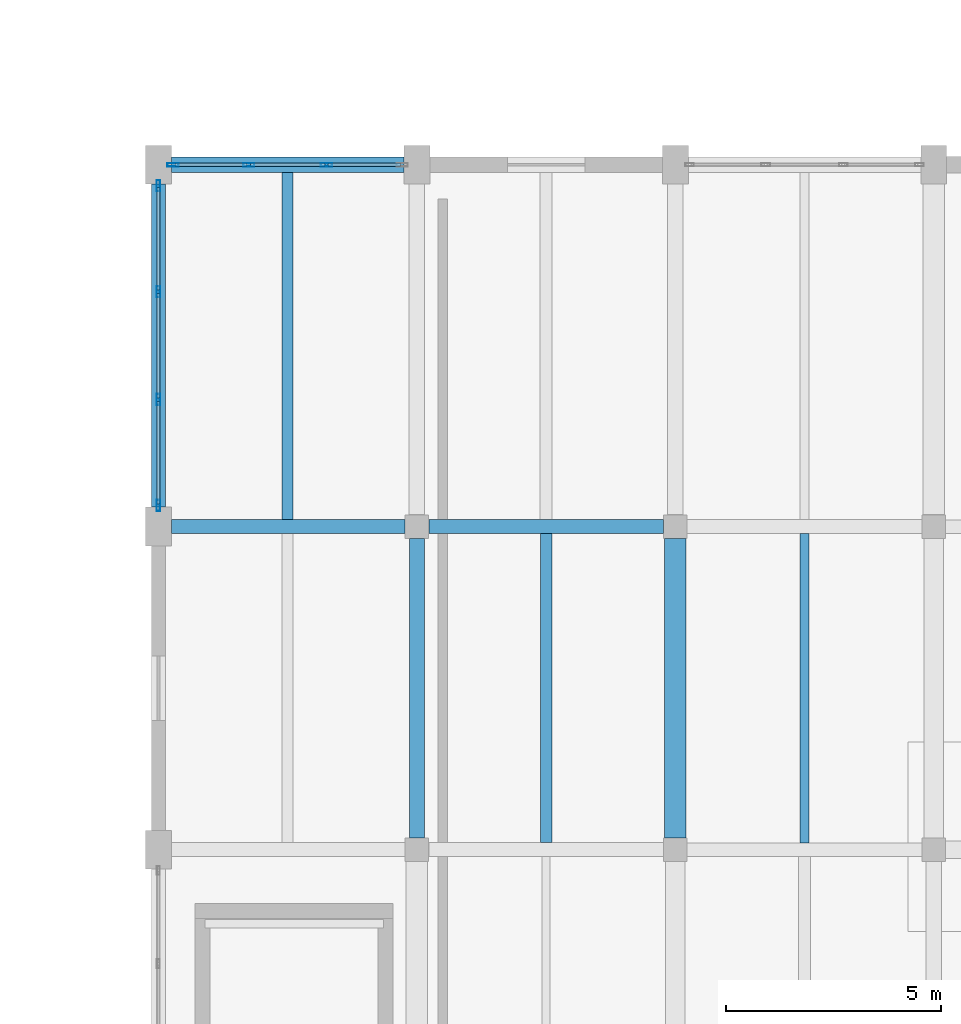
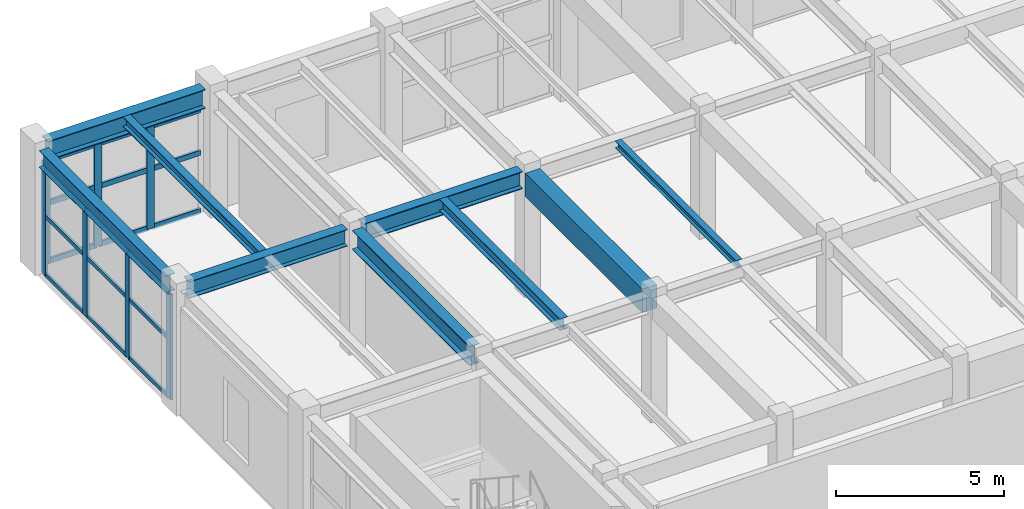
# One storey, part 36 of 96: 25 members, 9 beams, 2 elements without a shape of their own.
"""IFC4 building model written with IfcOpenShell, lengths in metres."""

from ifc_helpers import new_model, si_unit, direction, frame, origin, origin_2d, place, context, subcontext, project, spatial, rectangle, hollow_rectangle, i_section, extrude, material, layer, layer_set, material_profile, profile_set, type_object, element, aggregate, save


model = new_model("IFC4")

# Units and contexts
model_context = context("Model", 3, precision=1e-05, world=origin(), true_north=direction((0.0, 1.0)))
body_context = subcontext(model_context, "Body", "Model", "MODEL_VIEW")
ifc_project = project(units=[si_unit("LENGTHUNIT", "METRE"), si_unit("AREAUNIT", "SQUARE_METRE"), si_unit("VOLUMEUNIT", "CUBIC_METRE"), si_unit("PLANEANGLEUNIT", "RADIAN"), si_unit("MASSUNIT", "GRAM", prefix="KILO")], contexts=[model_context])

# Site, building, storey
site_placement = place(None, origin())
site = spatial("IfcSite", under=ifc_project, at=site_placement, CompositionType="ELEMENT")
building_placement = place(site_placement, origin())
building = spatial("IfcBuilding", under=site, at=building_placement, Name="Vaelkrest Opera House", CompositionType="ELEMENT")
storey_placement = place(building_placement, frame((0.0, 0.0, 5.39990234375)))
storey = spatial("IfcBuildingStorey", under=building, at=storey_placement, Name="L01", CompositionType="ELEMENT", Elevation=5.39990234375)

# Beams
ifc_material_1 = material(Name="Concrete C50/60", Category="concrete")
ifc_material_profile_1 = material_profile(ifc_material_1, rectangle(XDim=0.5, YDim=0.85009765625, at=origin_2d()), Name="RCB500X850")
ifc_profile_set_1 = profile_set([ifc_material_profile_1], Name="Concrete C50/60")
beam_type_1 = type_object("IfcBeamType", Name="B03", PredefinedType="BEAM", material=ifc_profile_set_1)
beam_1_placement = place(storey_placement, frame((-63.60009765625, 17.97509765625, 4.0751953125), z_axis=(0.0, 1.0, 0.0), x_axis=(-1.0, 0.0, 0.0)))
element("IfcBeam", 1, at=beam_1_placement, inside=storey, type_object=beam_type_1, Name="Beam BM-V3-L01-1564", PredefinedType="BEAM", context=body_context, shape_type="SweptSolid", body=[
    extrude(rectangle(XDim=0.5, YDim=0.85009765625, at=origin_2d()), origin(), (0.0, 0.0, 1.0), 6.949951171875),
])
ifc_material_2 = material(Name="Steel A992 Gr50", Category="steel")
ifc_material_profile_2 = material_profile(ifc_material_2, i_section(OverallWidth=0.323974609375, OverallDepth=0.611083984375, WebThickness=0.0126953125, FlangeThickness=0.01904296875, at=origin_2d()), Name="W24X104")
ifc_profile_set_2 = profile_set([ifc_material_profile_2], Name="Steel A992 Gr50")
beam_type_2 = type_object("IfcBeamType", Name="B08", PredefinedType="BEAM", material=ifc_profile_set_2)
beam_2_placement = place(storey_placement, frame((-75.300048828125, 25.199951171875, 4.194580078125), z_axis=(1.0, 0.0, 0.0), x_axis=(0.0, 1.0, 0.0)))
element("IfcBeam", 2, at=beam_2_placement, inside=storey, type_object=beam_type_2, Name="Beam BM-V3-L01-1537", PredefinedType="BEAM", context=body_context, shape_type="SweptSolid", body=[
    extrude(i_section(OverallWidth=0.323974609375, OverallDepth=0.611083984375, WebThickness=0.0126953125, FlangeThickness=0.01904296875, at=origin_2d()), origin(), (0.0, 0.0, 1.0), 5.425048828125),
])
ifc_material_profile_3 = material_profile(ifc_material_2, i_section(OverallWidth=0.327880859375, OverallDepth=0.6279296875, WebThickness=0.0166015625, FlangeThickness=0.027587890625, at=origin_2d()), Name="W24X146")
ifc_profile_set_3 = profile_set([ifc_material_profile_3], Name="Steel A992 Gr50")
beam_type_3 = type_object("IfcBeamType", Name="B09", PredefinedType="BEAM", material=ifc_profile_set_3)
beam_3_placement = place(storey_placement, frame((-69.324951171875, 25.199951171875, 4.18603515625), z_axis=(1.0, 0.0, 0.0), x_axis=(0.0, 1.0, 0.0)))
element("IfcBeam", 3, at=beam_3_placement, inside=storey, type_object=beam_type_3, Name="Beam BM-V3-L01-1538", PredefinedType="BEAM", context=body_context, shape_type="SweptSolid", body=[
    extrude(i_section(OverallWidth=0.327880859375, OverallDepth=0.6279296875, WebThickness=0.0166015625, FlangeThickness=0.027587890625, at=origin_2d()), origin(), (0.0, 0.0, 1.0), 5.449951171875),
])
ifc_material_profile_4 = material_profile(ifc_material_2, i_section(OverallWidth=0.35498046875, OverallDepth=0.695068359375, WebThickness=0.015380859375, FlangeThickness=0.02490234375, at=origin_2d()), Name="W27X146")
ifc_profile_set_4 = profile_set([ifc_material_profile_4], Name="Steel A992 Gr50")
beam_type_4 = type_object("IfcBeamType", Name="B10", PredefinedType="BEAM", material=ifc_profile_set_4)
beam_4_placement = place(storey_placement, frame((-69.60009765625, 17.97509765625, 4.152587890625), z_axis=(0.0, 1.0, 0.0), x_axis=(-1.0, 0.0, 0.0)))
element("IfcBeam", 4, at=beam_4_placement, inside=storey, type_object=beam_type_4, Name="Beam BM-V3-L01-1561", PredefinedType="BEAM", context=body_context, shape_type="SweptSolid", body=[
    extrude(i_section(OverallWidth=0.35498046875, OverallDepth=0.695068359375, WebThickness=0.015380859375, FlangeThickness=0.02490234375, at=origin_2d()), origin(), (0.0, 0.0, 1.0), 6.949951171875),
])

# Curtain wall, members
ifc_material_3 = material(Name="Dark bronze anodized aluminium", Category="aluminium")
ifc_layer_1 = layer(ifc_material_3, 0.25)
ifc_layer_set_1 = layer_set([ifc_layer_1], Name="Dark bronze anodized aluminium")
curtain_wall_type_1 = type_object("IfcCurtainWallType", Name="CW08", PredefinedType="NOTDEFINED", material=ifc_layer_set_1)
curtain_wall_1_placement = place(storey_placement, origin())
curtain_wall_1 = element("IfcCurtainWall", 5, at=curtain_wall_1_placement, inside=storey, type_object=curtain_wall_type_1, Name="Curtain wall CW-L01-105", PredefinedType="NOTDEFINED")
ifc_material_profile_5 = material_profile(ifc_material_3, hollow_rectangle(XDim=0.080078125, YDim=0.260009765625, WallThickness=0.0048828125, at=origin_2d()), Name="CWM80X260")
ifc_profile_set_5 = profile_set([ifc_material_profile_5], Name="Dark bronze anodized aluminium")
member_type_1 = type_object("IfcMemberType", Name="CWM04", PredefinedType="MULLION", material=ifc_profile_set_5)
member_1_placement = place(storey_placement, frame((-75.60009765625, 25.68798828125, 0.0), z_axis=(0.0, 0.0, 1.0), x_axis=(-1.0, 0.0, 0.0)))
member_1 = element("IfcMember", 6, at=member_1_placement, type_object=member_type_1, Name="CW08 mullion 1", PredefinedType="MULLION", context=body_context, shape_type="SweptSolid", body=[
    extrude(hollow_rectangle(XDim=0.080078125, YDim=0.260009765625, WallThickness=0.0048828125, at=origin_2d()), origin(), (0.0, 0.0, 1.0), 3.82421875),
])
member_2_placement = place(storey_placement, frame((-75.60009765625, 28.1494140625, 0.0), z_axis=(0.0, 0.0, 1.0), x_axis=(-1.0, 0.0, 0.0)))
member_2 = element("IfcMember", 7, at=member_2_placement, type_object=member_type_1, Name="CW08 mullion 2", PredefinedType="MULLION", context=body_context, shape_type="SweptSolid", body=[
    extrude(hollow_rectangle(XDim=0.080078125, YDim=0.260009765625, WallThickness=0.0048828125, at=origin_2d()), origin(), (0.0, 0.0, 1.0), 3.82421875),
])
member_3_placement = place(storey_placement, frame((-75.60009765625, 30.650634765625, 0.0), z_axis=(0.0, 0.0, 1.0), x_axis=(-1.0, 0.0, 0.0)))
member_3 = element("IfcMember", 8, at=member_3_placement, type_object=member_type_1, Name="CW08 mullion 3", PredefinedType="MULLION", context=body_context, shape_type="SweptSolid", body=[
    extrude(hollow_rectangle(XDim=0.080078125, YDim=0.260009765625, WallThickness=0.0048828125, at=origin_2d()), origin(), (0.0, 0.0, 1.0), 3.82421875),
])
member_4_placement = place(storey_placement, frame((-75.60009765625, 33.112060546875, 0.0), z_axis=(0.0, 0.0, 1.0), x_axis=(-1.0, 0.0, 0.0)))
member_4 = element("IfcMember", 9, at=member_4_placement, type_object=member_type_1, Name="CW08 mullion 4", PredefinedType="MULLION", context=body_context, shape_type="SweptSolid", body=[
    extrude(hollow_rectangle(XDim=0.080078125, YDim=0.260009765625, WallThickness=0.0048828125, at=origin_2d()), origin(), (0.0, 0.0, 1.0), 3.82421875),
])

ifc_layer_2 = layer(ifc_material_3, 0.2099609375)
ifc_layer_set_2 = layer_set([ifc_layer_2], Name="Dark bronze anodized aluminium")
curtain_wall_type_2 = type_object("IfcCurtainWallType", Name="CW04", PredefinedType="NOTDEFINED", material=ifc_layer_set_2)
curtain_wall_2_placement = place(storey_placement, origin())
curtain_wall_2 = element("IfcCurtainWall", 10, at=curtain_wall_2_placement, inside=storey, type_object=curtain_wall_type_2, Name="Curtain wall CW-L01-106", PredefinedType="NOTDEFINED")
member_5_placement = place(storey_placement, frame((-75.261962890625, 33.60009765625, 0.0), z_axis=(0.0, 0.0, 1.0), x_axis=(0.0, 1.0, 0.0)))
member_5 = element("IfcMember", 11, at=member_5_placement, type_object=member_type_1, Name="CW04 mullion 1", PredefinedType="MULLION", context=body_context, shape_type="SweptSolid", body=[
    extrude(hollow_rectangle(XDim=0.080078125, YDim=0.260009765625, WallThickness=0.0048828125, at=origin_2d()), origin(), (0.0, 0.0, 1.0), 3.739990234375),
])
member_6_placement = place(storey_placement, frame((-73.500732421875, 33.60009765625, 0.0), z_axis=(0.0, 0.0, 1.0), x_axis=(0.0, 1.0, 0.0)))
member_6 = element("IfcMember", 12, at=member_6_placement, type_object=member_type_1, Name="CW04 mullion 2", PredefinedType="MULLION", context=body_context, shape_type="SweptSolid", body=[
    extrude(hollow_rectangle(XDim=0.080078125, YDim=0.260009765625, WallThickness=0.0048828125, at=origin_2d()), origin(), (0.0, 0.0, 1.0), 3.739990234375),
])
member_7_placement = place(storey_placement, frame((-71.69921875, 33.60009765625, 0.0), z_axis=(0.0, 0.0, 1.0), x_axis=(0.0, 1.0, 0.0)))
member_7 = element("IfcMember", 13, at=member_7_placement, type_object=member_type_1, Name="CW04 mullion 3", PredefinedType="MULLION", context=body_context, shape_type="SweptSolid", body=[
    extrude(hollow_rectangle(XDim=0.080078125, YDim=0.260009765625, WallThickness=0.0048828125, at=origin_2d()), origin(), (0.0, 0.0, 1.0), 3.739990234375),
])

# Member
ifc_material_profile_6 = material_profile(ifc_material_3, hollow_rectangle(XDim=0.070068359375, YDim=0.14990234375, WallThickness=0.004150390625, at=origin_2d()), Name="CWT70X150")
ifc_profile_set_6 = profile_set([ifc_material_profile_6], Name="Dark bronze anodized aluminium")
member_type_2 = type_object("IfcMemberType", Name="CWT02", PredefinedType="USERDEFINED", material=ifc_profile_set_6)
member_8_placement = place(storey_placement, frame((-75.60009765625, 25.72802734375, 0.03515625), z_axis=(0.0, 1.0, 0.0), x_axis=(-1.0, 0.0, 0.0)))
member_8 = element("IfcMember", 14, at=member_8_placement, type_object=member_type_2, Name="CW08 transom 1.1", ObjectType="TRANSOM", PredefinedType="USERDEFINED", context=body_context, shape_type="SweptSolid", body=[
    extrude(hollow_rectangle(XDim=0.070068359375, YDim=0.14990234375, WallThickness=0.004150390625, at=origin_2d()), origin(), (0.0, 0.0, 1.0), 2.38134765625),
])

member_9_placement = place(storey_placement, frame((-75.60009765625, 25.72802734375, 2.150146484375), z_axis=(0.0, 1.0, 0.0), x_axis=(-1.0, 0.0, 0.0)))
member_9 = element("IfcMember", 15, at=member_9_placement, type_object=member_type_2, Name="CW08 transom 1.2", ObjectType="TRANSOM", PredefinedType="USERDEFINED", context=body_context, shape_type="SweptSolid", body=[
    extrude(hollow_rectangle(XDim=0.070068359375, YDim=0.14990234375, WallThickness=0.004150390625, at=origin_2d()), origin(), (0.0, 0.0, 1.0), 2.38134765625),
])

member_10_placement = place(storey_placement, frame((-75.60009765625, 25.72802734375, 3.7890625), z_axis=(0.0, 1.0, 0.0), x_axis=(-1.0, 0.0, 0.0)))
member_10 = element("IfcMember", 16, at=member_10_placement, type_object=member_type_2, Name="CW08 transom 1.3", ObjectType="TRANSOM", PredefinedType="USERDEFINED", context=body_context, shape_type="SweptSolid", body=[
    extrude(hollow_rectangle(XDim=0.070068359375, YDim=0.14990234375, WallThickness=0.004150390625, at=origin_2d()), origin(), (0.0, 0.0, 1.0), 2.38134765625),
])

member_11_placement = place(storey_placement, frame((-75.60009765625, 28.189453125, 0.03515625), z_axis=(0.0, 1.0, 0.0), x_axis=(-1.0, 0.0, 0.0)))
member_11 = element("IfcMember", 17, at=member_11_placement, type_object=member_type_2, Name="CW08 transom 2.1", ObjectType="TRANSOM", PredefinedType="USERDEFINED", context=body_context, shape_type="SweptSolid", body=[
    extrude(hollow_rectangle(XDim=0.070068359375, YDim=0.14990234375, WallThickness=0.004150390625, at=origin_2d()), origin(), (0.0, 0.0, 1.0), 2.421142578125),
])

member_12_placement = place(storey_placement, frame((-75.60009765625, 28.189453125, 2.150146484375), z_axis=(0.0, 1.0, 0.0), x_axis=(-1.0, 0.0, 0.0)))
member_12 = element("IfcMember", 18, at=member_12_placement, type_object=member_type_2, Name="CW08 transom 2.2", ObjectType="TRANSOM", PredefinedType="USERDEFINED", context=body_context, shape_type="SweptSolid", body=[
    extrude(hollow_rectangle(XDim=0.070068359375, YDim=0.14990234375, WallThickness=0.004150390625, at=origin_2d()), origin(), (0.0, 0.0, 1.0), 2.421142578125),
])

member_13_placement = place(storey_placement, frame((-75.60009765625, 28.189453125, 3.7890625), z_axis=(0.0, 1.0, 0.0), x_axis=(-1.0, 0.0, 0.0)))
member_13 = element("IfcMember", 19, at=member_13_placement, type_object=member_type_2, Name="CW08 transom 2.3", ObjectType="TRANSOM", PredefinedType="USERDEFINED", context=body_context, shape_type="SweptSolid", body=[
    extrude(hollow_rectangle(XDim=0.070068359375, YDim=0.14990234375, WallThickness=0.004150390625, at=origin_2d()), origin(), (0.0, 0.0, 1.0), 2.421142578125),
])

member_14_placement = place(storey_placement, frame((-75.60009765625, 30.690673828125, 0.03515625), z_axis=(0.0, 1.0, 0.0), x_axis=(-1.0, 0.0, 0.0)))
member_14 = element("IfcMember", 20, at=member_14_placement, type_object=member_type_2, Name="CW08 transom 3.1", ObjectType="TRANSOM", PredefinedType="USERDEFINED", context=body_context, shape_type="SweptSolid", body=[
    extrude(hollow_rectangle(XDim=0.070068359375, YDim=0.14990234375, WallThickness=0.004150390625, at=origin_2d()), origin(), (0.0, 0.0, 1.0), 2.38134765625),
])

member_15_placement = place(storey_placement, frame((-75.60009765625, 30.690673828125, 2.150146484375), z_axis=(0.0, 1.0, 0.0), x_axis=(-1.0, 0.0, 0.0)))
member_15 = element("IfcMember", 21, at=member_15_placement, type_object=member_type_2, Name="CW08 transom 3.2", ObjectType="TRANSOM", PredefinedType="USERDEFINED", context=body_context, shape_type="SweptSolid", body=[
    extrude(hollow_rectangle(XDim=0.070068359375, YDim=0.14990234375, WallThickness=0.004150390625, at=origin_2d()), origin(), (0.0, 0.0, 1.0), 2.38134765625),
])

member_16_placement = place(storey_placement, frame((-75.60009765625, 30.690673828125, 3.7890625), z_axis=(0.0, 1.0, 0.0), x_axis=(-1.0, 0.0, 0.0)))
member_16 = element("IfcMember", 22, at=member_16_placement, type_object=member_type_2, Name="CW08 transom 3.3", ObjectType="TRANSOM", PredefinedType="USERDEFINED", context=body_context, shape_type="SweptSolid", body=[
    extrude(hollow_rectangle(XDim=0.070068359375, YDim=0.14990234375, WallThickness=0.004150390625, at=origin_2d()), origin(), (0.0, 0.0, 1.0), 2.38134765625),
])

aggregate(curtain_wall_1, [member_1, member_2, member_3, member_4, member_8, member_9, member_10, member_11, member_12, member_13, member_14, member_15, member_16])

ifc_material_profile_7 = material_profile(ifc_material_3, hollow_rectangle(XDim=0.080078125, YDim=0.18994140625, WallThickness=0.0048828125, at=origin_2d()), Name="CWT80X190")
ifc_profile_set_7 = profile_set([ifc_material_profile_7], Name="Dark bronze anodized aluminium")
member_type_3 = type_object("IfcMemberType", Name="CWT04", PredefinedType="USERDEFINED", material=ifc_profile_set_7)
member_17_placement = place(storey_placement, frame((-75.221923828125, 33.60009765625, 0.0400390625), z_axis=(1.0, 0.0, 0.0), x_axis=(0.0, 1.0, 0.0)))
member_17 = element("IfcMember", 23, at=member_17_placement, type_object=member_type_3, Name="CW04 transom 1.1", ObjectType="TRANSOM", PredefinedType="USERDEFINED", context=body_context, shape_type="SweptSolid", body=[
    extrude(hollow_rectangle(XDim=0.080078125, YDim=0.18994140625, WallThickness=0.0048828125, at=origin_2d()), origin(), (0.0, 0.0, 1.0), 1.68115234375),
])

member_18_placement = place(storey_placement, frame((-75.221923828125, 33.60009765625, 2.150146484375), z_axis=(1.0, 0.0, 0.0), x_axis=(0.0, 1.0, 0.0)))
member_18 = element("IfcMember", 24, at=member_18_placement, type_object=member_type_3, Name="CW04 transom 1.2", ObjectType="TRANSOM", PredefinedType="USERDEFINED", context=body_context, shape_type="SweptSolid", body=[
    extrude(hollow_rectangle(XDim=0.080078125, YDim=0.18994140625, WallThickness=0.0048828125, at=origin_2d()), origin(), (0.0, 0.0, 1.0), 1.68115234375),
])

member_19_placement = place(storey_placement, frame((-75.221923828125, 33.60009765625, 3.7001953125), z_axis=(1.0, 0.0, 0.0), x_axis=(0.0, 1.0, 0.0)))
member_19 = element("IfcMember", 25, at=member_19_placement, type_object=member_type_3, Name="CW04 transom 1.3", ObjectType="TRANSOM", PredefinedType="USERDEFINED", context=body_context, shape_type="SweptSolid", body=[
    extrude(hollow_rectangle(XDim=0.080078125, YDim=0.18994140625, WallThickness=0.0048828125, at=origin_2d()), origin(), (0.0, 0.0, 1.0), 1.68115234375),
])

member_20_placement = place(storey_placement, frame((-73.460693359375, 33.60009765625, 0.0400390625), z_axis=(1.0, 0.0, 0.0), x_axis=(0.0, 1.0, 0.0)))
member_20 = element("IfcMember", 26, at=member_20_placement, type_object=member_type_3, Name="CW04 transom 2.1", ObjectType="TRANSOM", PredefinedType="USERDEFINED", context=body_context, shape_type="SweptSolid", body=[
    extrude(hollow_rectangle(XDim=0.080078125, YDim=0.18994140625, WallThickness=0.0048828125, at=origin_2d()), origin(), (0.0, 0.0, 1.0), 1.721435546875),
])

member_21_placement = place(storey_placement, frame((-73.460693359375, 33.60009765625, 2.150146484375), z_axis=(1.0, 0.0, 0.0), x_axis=(0.0, 1.0, 0.0)))
member_21 = element("IfcMember", 27, at=member_21_placement, type_object=member_type_3, Name="CW04 transom 2.2", ObjectType="TRANSOM", PredefinedType="USERDEFINED", context=body_context, shape_type="SweptSolid", body=[
    extrude(hollow_rectangle(XDim=0.080078125, YDim=0.18994140625, WallThickness=0.0048828125, at=origin_2d()), origin(), (0.0, 0.0, 1.0), 1.721435546875),
])

member_22_placement = place(storey_placement, frame((-73.460693359375, 33.60009765625, 3.7001953125), z_axis=(1.0, 0.0, 0.0), x_axis=(0.0, 1.0, 0.0)))
member_22 = element("IfcMember", 28, at=member_22_placement, type_object=member_type_3, Name="CW04 transom 2.3", ObjectType="TRANSOM", PredefinedType="USERDEFINED", context=body_context, shape_type="SweptSolid", body=[
    extrude(hollow_rectangle(XDim=0.080078125, YDim=0.18994140625, WallThickness=0.0048828125, at=origin_2d()), origin(), (0.0, 0.0, 1.0), 1.721435546875),
])

member_23_placement = place(storey_placement, frame((-71.659423828125, 33.60009765625, 0.0400390625), z_axis=(1.0, 0.0, 0.0), x_axis=(0.0, 1.0, 0.0)))
member_23 = element("IfcMember", 29, at=member_23_placement, type_object=member_type_3, Name="CW04 transom 3.1", ObjectType="TRANSOM", PredefinedType="USERDEFINED", context=body_context, shape_type="SweptSolid", body=[
    extrude(hollow_rectangle(XDim=0.080078125, YDim=0.18994140625, WallThickness=0.0048828125, at=origin_2d()), origin(), (0.0, 0.0, 1.0), 1.681396484375),
])

member_24_placement = place(storey_placement, frame((-71.659423828125, 33.60009765625, 2.150146484375), z_axis=(1.0, 0.0, 0.0), x_axis=(0.0, 1.0, 0.0)))
member_24 = element("IfcMember", 30, at=member_24_placement, type_object=member_type_3, Name="CW04 transom 3.2", ObjectType="TRANSOM", PredefinedType="USERDEFINED", context=body_context, shape_type="SweptSolid", body=[
    extrude(hollow_rectangle(XDim=0.080078125, YDim=0.18994140625, WallThickness=0.0048828125, at=origin_2d()), origin(), (0.0, 0.0, 1.0), 1.681396484375),
])

member_25_placement = place(storey_placement, frame((-71.659423828125, 33.60009765625, 3.7001953125), z_axis=(1.0, 0.0, 0.0), x_axis=(0.0, 1.0, 0.0)))
member_25 = element("IfcMember", 31, at=member_25_placement, type_object=member_type_3, Name="CW04 transom 3.3", ObjectType="TRANSOM", PredefinedType="USERDEFINED", context=body_context, shape_type="SweptSolid", body=[
    extrude(hollow_rectangle(XDim=0.080078125, YDim=0.18994140625, WallThickness=0.0048828125, at=origin_2d()), origin(), (0.0, 0.0, 1.0), 1.681396484375),
])

aggregate(curtain_wall_2, [member_5, member_6, member_7, member_17, member_18, member_19, member_20, member_21, member_22, member_23, member_24, member_25])

# Beams
ifc_material_profile_8 = material_profile(ifc_material_2, i_section(OverallWidth=0.2041015625, OverallDepth=0.257080078125, WebThickness=0.0087890625, FlangeThickness=0.015625, at=origin_2d()), Name="W10X45")
ifc_profile_set_8 = profile_set([ifc_material_profile_8], Name="Steel A992 Gr50")
beam_type_5 = type_object("IfcBeamType", Name="J01", PredefinedType="JOIST", material=ifc_profile_set_8)
beam_5_placement = place(storey_placement, frame((-60.60009765625, 17.857421875, 4.37158203125), z_axis=(0.0, 1.0, 0.0), x_axis=(-1.0, 0.0, 0.0)))
element("IfcBeam", 32, at=beam_5_placement, inside=storey, type_object=beam_type_5, Name="Floor joist JST-V3-L01-1601", PredefinedType="JOIST", context=body_context, shape_type="SweptSolid", body=[
    extrude(i_section(OverallWidth=0.2041015625, OverallDepth=0.257080078125, WebThickness=0.0087890625, FlangeThickness=0.015625, at=origin_2d()), origin(), (0.0, 0.0, 1.0), 7.17919921875),
])
ifc_material_profile_9 = material_profile(ifc_material_2, i_section(OverallWidth=0.257080078125, OverallDepth=0.363037109375, WebThickness=0.012939453125, FlangeThickness=0.021728515625, at=origin_2d()), Name="W14X82")
ifc_profile_set_9 = profile_set([ifc_material_profile_9], Name="Steel A992 Gr50")
beam_type_6 = type_object("IfcBeamType", Name="J06", PredefinedType="JOIST", material=ifc_profile_set_9)
beam_6_placement = place(storey_placement, frame((-72.60009765625, 25.362060546875, 4.318603515625), z_axis=(0.0, 1.0, 0.0), x_axis=(-1.0, 0.0, 0.0)))
element("IfcBeam", 33, at=beam_6_placement, inside=storey, type_object=beam_type_6, Name="Floor joist JST-V3-L01-1596", PredefinedType="JOIST", context=body_context, shape_type="SweptSolid", body=[
    extrude(i_section(OverallWidth=0.257080078125, OverallDepth=0.363037109375, WebThickness=0.012939453125, FlangeThickness=0.021728515625, at=origin_2d()), origin(), (0.0, 0.0, 1.0), 8.060546875),
])
ifc_material_profile_10 = material_profile(ifc_material_2, i_section(OverallWidth=0.261962890625, OverallDepth=0.4189453125, WebThickness=0.01171875, FlangeThickness=0.019287109375, at=origin_2d()), Name="W16X77")
ifc_profile_set_10 = profile_set([ifc_material_profile_10], Name="Steel A992 Gr50")
beam_type_7 = type_object("IfcBeamType", Name="J08", PredefinedType="JOIST", material=ifc_profile_set_10)
beam_7_placement = place(storey_placement, frame((-66.60009765625, 17.863525390625, 4.29052734375), z_axis=(0.0, 1.0, 0.0), x_axis=(-1.0, 0.0, 0.0)))
element("IfcBeam", 34, at=beam_7_placement, inside=storey, type_object=beam_type_7, Name="Floor joist JST-V3-L01-1598", PredefinedType="JOIST", context=body_context, shape_type="SweptSolid", body=[
    extrude(i_section(OverallWidth=0.261962890625, OverallDepth=0.4189453125, WebThickness=0.01171875, FlangeThickness=0.019287109375, at=origin_2d()), origin(), (0.0, 0.0, 1.0), 7.17236328125),
])
ifc_material_profile_11 = material_profile(ifc_material_2, i_section(OverallWidth=0.323974609375, OverallDepth=0.611083984375, WebThickness=0.0126953125, FlangeThickness=0.01904296875, at=origin_2d()), Name="W24X104")
ifc_profile_set_11 = profile_set([ifc_material_profile_11], Name="Steel A992 Gr50")
beam_type_8 = type_object("IfcBeamType", Name="SP01", PredefinedType="SPANDREL", material=ifc_profile_set_11)
beam_8_placement = place(storey_placement, frame((-75.60009765625, 25.64990234375, 4.194580078125), z_axis=(0.0, 1.0, 0.0), x_axis=(-1.0, 0.0, 0.0)))
element("IfcBeam", 35, at=beam_8_placement, inside=storey, type_object=beam_type_8, Name="Beam BM-V3-L01-1556", PredefinedType="SPANDREL", context=body_context, shape_type="SweptSolid", body=[
    extrude(i_section(OverallWidth=0.323974609375, OverallDepth=0.611083984375, WebThickness=0.0126953125, FlangeThickness=0.01904296875, at=origin_2d()), origin(), (0.0, 0.0, 1.0), 7.5),
])
ifc_material_profile_12 = material_profile(ifc_material_2, i_section(OverallWidth=0.35498046875, OverallDepth=0.695068359375, WebThickness=0.015380859375, FlangeThickness=0.02490234375, at=origin_2d()), Name="W27X146")
ifc_profile_set_12 = profile_set([ifc_material_profile_12], Name="Steel A992 Gr50")
beam_type_9 = type_object("IfcBeamType", Name="SP02", PredefinedType="SPANDREL", material=ifc_profile_set_12)
beam_9_placement = place(storey_placement, frame((-75.300048828125, 33.60009765625, 4.152587890625), z_axis=(1.0, 0.0, 0.0), x_axis=(0.0, 1.0, 0.0)))
element("IfcBeam", 36, at=beam_9_placement, inside=storey, type_object=beam_type_9, Name="Beam BM-V3-L01-1544", PredefinedType="SPANDREL", context=body_context, shape_type="SweptSolid", body=[
    extrude(i_section(OverallWidth=0.35498046875, OverallDepth=0.695068359375, WebThickness=0.015380859375, FlangeThickness=0.02490234375, at=origin_2d()), origin(), (0.0, 0.0, 1.0), 5.400146484375),
])

save(model, "model.ifc")
